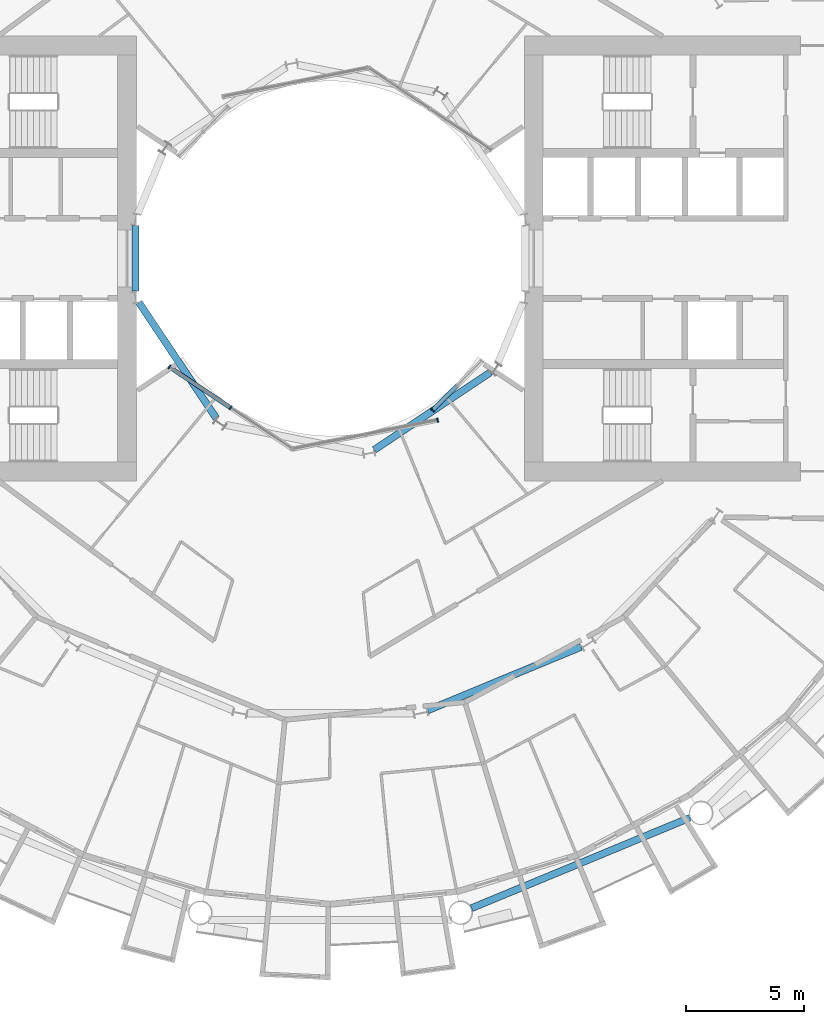
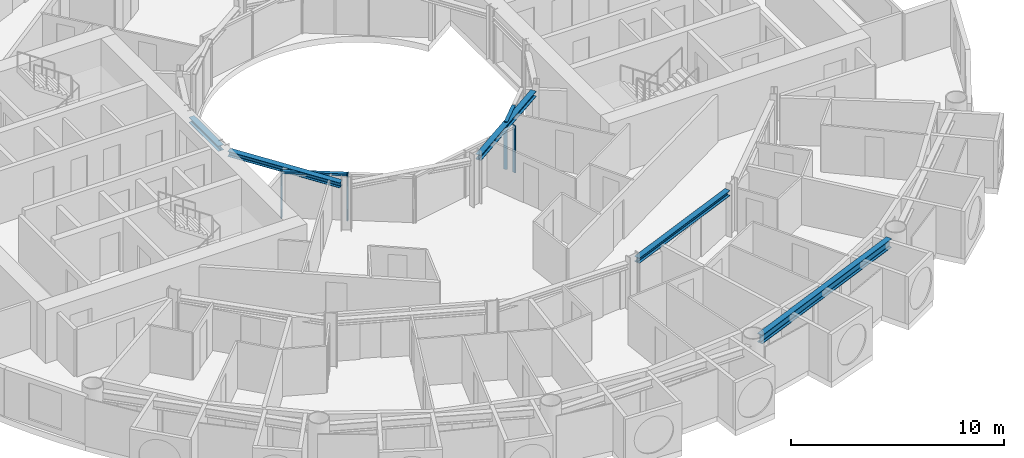
# One storey, part 5 of 26: 6 members, 5 beams, 3 elements without a shape of their own.
"""IFC4 building model written with IfcOpenShell, lengths in metres."""

from ifc_helpers import new_model, si_unit, direction, frame, origin, origin_2d, place, context, subcontext, project, spatial, rectangle, i_section, extrude, material, layer, layer_set, material_profile, profile_set, type_object, element, aggregate, save


model = new_model("IFC4")

# Units and contexts
model_context = context("Model", 3, precision=1e-05, world=origin(), true_north=direction((0.0, 1.0)))
body_context = subcontext(model_context, "Body", "Model", "MODEL_VIEW")
ifc_project = project(units=[si_unit("LENGTHUNIT", "METRE"), si_unit("AREAUNIT", "SQUARE_METRE"), si_unit("VOLUMEUNIT", "CUBIC_METRE"), si_unit("PLANEANGLEUNIT", "RADIAN"), si_unit("MASSUNIT", "GRAM", prefix="KILO")], contexts=[model_context])

# Site, building, storey
site_placement = place(None, origin())
site = spatial("IfcSite", under=ifc_project, at=site_placement, CompositionType="ELEMENT")
building_placement = place(site_placement, origin())
building = spatial("IfcBuilding", under=site, at=building_placement, Name="Maasbend Ring Residences", CompositionType="ELEMENT")
storey_placement = place(building_placement, frame((0.0, 0.0, 50.25)))
storey = spatial("IfcBuildingStorey", under=building, at=storey_placement, Name="L14", CompositionType="ELEMENT", Elevation=50.25)

# Curtain wall, members
ifc_material_1 = material(Name="Aluminium and clear glass", Category="aluminium")
ifc_layer = layer(ifc_material_1, 0.179931640625)
ifc_layer_set = layer_set([ifc_layer], Name="CW-W")
curtain_wall_type = type_object("IfcCurtainWallType", Name="CW-W", PredefinedType="NOTDEFINED", material=ifc_layer_set)
curtain_wall_1_placement = place(storey_placement, origin())
curtain_wall_1 = element("IfcCurtainWall", 1, at=curtain_wall_1_placement, inside=storey, type_object=curtain_wall_type, Name="Well curtain wall S1", PredefinedType="NOTDEFINED")
ifc_material_2 = material(Name="Aluminium 6063-T6", Category="aluminium")
ifc_material_profile_1 = material_profile(ifc_material_2, rectangle(XDim=0.179931640625, YDim=0.06005859375, at=origin_2d()), Name="AL 180x60")
ifc_profile_set_1 = profile_set([ifc_material_profile_1], Name="Aluminium 6063-T6")
member_type_1 = type_object("IfcMemberType", Name="CWM-W", PredefinedType="MULLION", material=ifc_profile_set_1)
member_1_placement = place(storey_placement, frame((-6.805908203125, -4.580810546875, 0.0), z_axis=(0.0, 0.0, 1.0), x_axis=(0.55557023302, 0.831469612303, 0.0)))
member_1 = element("IfcMember", 2, at=member_1_placement, type_object=member_type_1, Name="Mullion well face", PredefinedType="MULLION", context=body_context, shape_type="SweptSolid", body=[
    extrude(rectangle(XDim=0.179931640625, YDim=0.06005859375, at=origin_2d()), origin(), (0.0, 0.0, 1.0), 2.699951171875),
])
member_2_placement = place(storey_placement, frame((-4.216796875, -6.310791015625, 0.0), z_axis=(0.0, 0.0, 1.0), x_axis=(0.55557023302, 0.831469612303, 0.0)))
member_2 = element("IfcMember", 3, at=member_2_placement, type_object=member_type_1, Name="Mullion well face", PredefinedType="MULLION", context=body_context, shape_type="SweptSolid", body=[
    extrude(rectangle(XDim=0.179931640625, YDim=0.06005859375, at=origin_2d()), origin(), (0.0, 0.0, 1.0), 2.699951171875),
])

# Curtain wall, member
curtain_wall_2_placement = place(storey_placement, origin())
curtain_wall_2 = element("IfcCurtainWall", 4, at=curtain_wall_2_placement, inside=storey, type_object=curtain_wall_type, Name="Well curtain wall S2", PredefinedType="NOTDEFINED")
member_3_placement = place(storey_placement, frame((4.53466796875, -6.836669921875, 0.0), z_axis=(0.0, 0.0, 1.0), x_axis=(-0.195090322016, 0.980785280403, 0.0)))
member_3 = element("IfcMember", 5, at=member_3_placement, type_object=member_type_1, Name="Mullion well face", PredefinedType="MULLION", context=body_context, shape_type="SweptSolid", body=[
    extrude(rectangle(XDim=0.179931640625, YDim=0.06005859375, at=origin_2d()), origin(), (0.0, 0.0, 1.0), 2.699951171875),
])
aggregate(curtain_wall_2, [member_3])

curtain_wall_3_placement = place(storey_placement, origin())
curtain_wall_3 = element("IfcCurtainWall", 6, at=curtain_wall_3_placement, inside=storey, type_object=curtain_wall_type, Name="Well curtain wall S3", PredefinedType="NOTDEFINED")
member_4_placement = place(storey_placement, frame((4.320556640625, -6.413330078125, 0.0), z_axis=(0.0, 0.0, 1.0), x_axis=(-0.707106781187, 0.707106781187, 0.0)))
member_4 = element("IfcMember", 7, at=member_4_placement, type_object=member_type_1, Name="Mullion well face", PredefinedType="MULLION", context=body_context, shape_type="SweptSolid", body=[
    extrude(rectangle(XDim=0.179931640625, YDim=0.06005859375, at=origin_2d()), origin(), (0.0, 0.0, 1.0), 2.699951171875),
])

# Member
ifc_material_3 = material(Name="Aluminium 6063-T6", Category="aluminium")
ifc_material_profile_2 = material_profile(ifc_material_3, rectangle(XDim=0.179931640625, YDim=0.1201171875, at=origin_2d()), Name="AL 180x120")
ifc_profile_set_2 = profile_set([ifc_material_profile_2], Name="Aluminium 6063-T6")
member_type_2 = type_object("IfcMemberType", Name="CWT-W", PredefinedType="USERDEFINED", material=ifc_profile_set_2)
member_5_placement = place(storey_placement, frame((-6.781005859375, -4.59765625, 2.639892578125), z_axis=(0.831496422459, -0.555530106689, 0.0), x_axis=(0.555530106689, 0.831496422459, 0.0)))
member_5 = element("IfcMember", 8, at=member_5_placement, type_object=member_type_2, Name="Transom well face", ObjectType="TRANSOM", PredefinedType="USERDEFINED", context=body_context, shape_type="SweptSolid", body=[
    extrude(rectangle(XDim=0.179931640625, YDim=0.1201171875, at=origin_2d()), origin(), (0.0, 0.0, 1.0), 3.053955078125),
])

aggregate(curtain_wall_1, [member_1, member_2, member_5])

member_6_placement = place(storey_placement, frame((4.341796875, -6.39208984375, 2.639892578125), z_axis=(0.707106781187, 0.707106781187, 0.0), x_axis=(-0.707106781187, 0.707106781187, 0.0)))
member_6 = element("IfcMember", 9, at=member_6_placement, type_object=member_type_2, Name="Transom well face", ObjectType="TRANSOM", PredefinedType="USERDEFINED", context=body_context, shape_type="SweptSolid", body=[
    extrude(rectangle(XDim=0.179931640625, YDim=0.1201171875, at=origin_2d()), origin(), (0.0, 0.0, 1.0), 1.419677734375),
])

aggregate(curtain_wall_3, [member_4, member_6])

# Beams
ifc_material_4 = material(Name="Steel S355J2", Category="steel")
ifc_material_profile_3 = material_profile(ifc_material_4, i_section(OverallWidth=0.300048828125, OverallDepth=0.300048828125, WebThickness=0.010986328125, FlangeThickness=0.01904296875, FilletRadius=0.027099609375, at=origin_2d()), Name="HEB 300")
ifc_profile_set_3 = profile_set([ifc_material_profile_3], Name="Steel S355J2")
beam_type_1 = type_object("IfcBeamType", Name="Corridor ring beam HEB 300", PredefinedType="BEAM", material=ifc_profile_set_3)
beam_1_placement = place(storey_placement, frame((4.11572265625, -19.102294921875, 2.550048828125), z_axis=(0.923886196809, 0.38266734293, 0.0), x_axis=(-0.38266734293, 0.923886196809, 0.0)))
element("IfcBeam", 10, at=beam_1_placement, inside=storey, type_object=beam_type_1, Name="Corridor ring beam", PredefinedType="BEAM", context=body_context, shape_type="SweptSolid", body=[
    extrude(i_section(OverallWidth=0.300048828125, OverallDepth=0.300048828125, WebThickness=0.010986328125, FlangeThickness=0.01904296875, FilletRadius=0.027099609375, at=origin_2d()), origin(), (0.0, 0.0, 1.0), 7.015380859375),
])
ifc_material_5 = material(Name="Steel S355J2", Category="steel")
ifc_material_profile_4 = material_profile(ifc_material_5, i_section(OverallWidth=0.300048828125, OverallDepth=0.5, WebThickness=0.014404296875, FlangeThickness=0.028076171875, FilletRadius=0.027099609375, at=origin_2d()), Name="HEB 500")
ifc_profile_set_4 = profile_set([ifc_material_profile_4], Name="Steel S355J2")
beam_type_2 = type_object("IfcBeamType", Name="Spandrel ring beam HEB 500", PredefinedType="SPANDREL", material=ifc_profile_set_4)
beam_2_placement = place(storey_placement, frame((5.970703125, -27.463623046875, 2.449951171875), z_axis=(0.923886337442, 0.382667003395, 0.0), x_axis=(-0.382667003395, 0.923886337442, 0.0)))
element("IfcBeam", 11, at=beam_2_placement, inside=storey, type_object=beam_type_2, Name="Spandrel ring beam", PredefinedType="SPANDREL", context=body_context, shape_type="SweptSolid", body=[
    extrude(i_section(OverallWidth=0.300048828125, OverallDepth=0.5, WebThickness=0.014404296875, FlangeThickness=0.028076171875, FilletRadius=0.027099609375, at=origin_2d()), origin(), (0.0, 0.0, 1.0), 9.9873046875),
])
ifc_material_6 = material(Name="Steel S355J2", Category="steel")
ifc_material_profile_5 = material_profile(ifc_material_6, i_section(OverallWidth=0.300048828125, OverallDepth=0.300048828125, WebThickness=0.010986328125, FlangeThickness=0.01904296875, FilletRadius=0.027099609375, at=origin_2d()), Name="HEB 300")
ifc_profile_set_5 = profile_set([ifc_material_profile_5], Name="Steel S355J2")
beam_type_3 = type_object("IfcBeamType", Name="Well edge beam HEB 300", PredefinedType="BEAM", material=ifc_profile_set_5)
beam_3_placement = place(storey_placement, frame((-8.238525390625, 1.3837890625, 2.550048828125), z_axis=(0.0, -1.0, 0.0), x_axis=(1.0, 0.0, 0.0)))
element("IfcBeam", 12, at=beam_3_placement, inside=storey, type_object=beam_type_3, Name="Well edge beam", PredefinedType="BEAM", context=body_context, shape_type="SweptSolid", body=[
    extrude(i_section(OverallWidth=0.300048828125, OverallDepth=0.300048828125, WebThickness=0.010986328125, FlangeThickness=0.01904296875, FilletRadius=0.027099609375, at=origin_2d()), origin(), (0.0, 0.0, 1.0), 2.767578125),
])
for number, where, z_axis, x_axis, name in (
    (13, (-8.08837890625, -1.86376953125, 2.550048828125), (0.555589782054, -0.831456549723, 0.0), (0.831456549723, 0.555589782054, 0.0), "Well edge beam"),
    (14, (1.86376953125, -8.08837890625, 2.550048828125), (0.831456549723, 0.555589782054, 0.0), (-0.555589782054, 0.831456549723, 0.0), "Well edge beam"),
):
    element("IfcBeam", number, at=place(storey_placement, frame(where, z_axis=z_axis, x_axis=x_axis)), inside=storey, type_object=beam_type_3, Name=name, PredefinedType="BEAM", context=body_context, shape_type="SweptSolid", body=[
        extrude(i_section(OverallWidth=0.300048828125, OverallDepth=0.300048828125, WebThickness=0.010986328125, FlangeThickness=0.01904296875, FilletRadius=0.027099609375, at=origin_2d()), origin(), (0.0, 0.0, 1.0), 5.887939453125),
    ])

save(model, "model.ifc")
